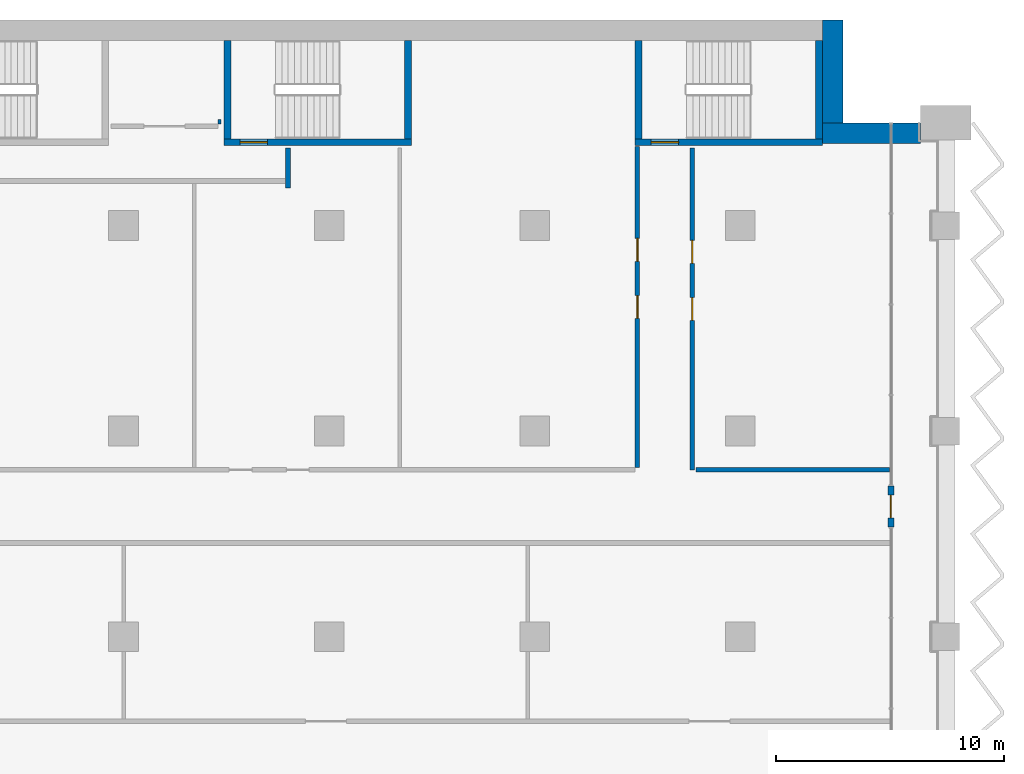
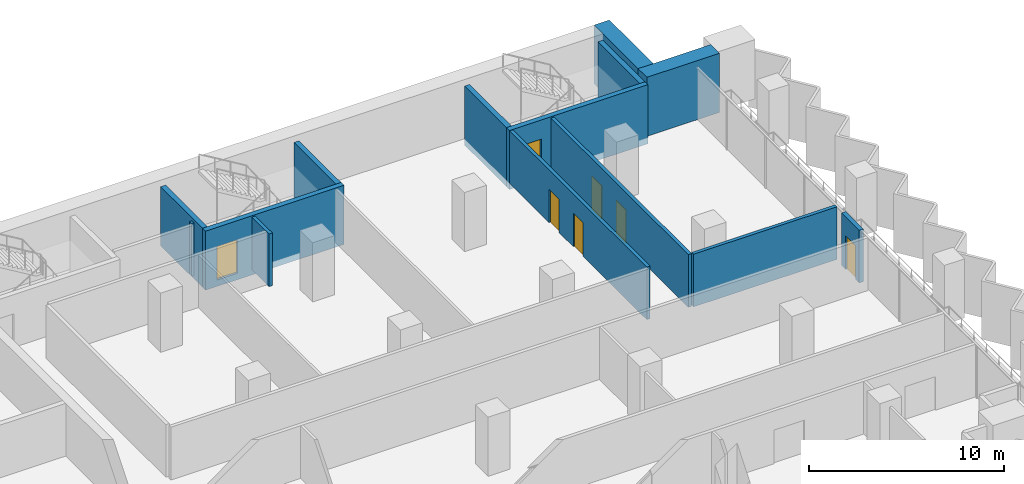
# One storey, part 15 of 23: 14 walls, 7 doors, 7 openings.
"""IFC4 building model written with IfcOpenShell, lengths in metres."""

from ifc_helpers import new_model, si_unit, direction, frame, frame_2d, origin, place, context, subcontext, project, spatial, rectangle, extrude, material, layer, layer_set, type_object, element, fill, save


model = new_model("IFC4")

# Units and contexts
model_context = context("Model", 3, precision=1e-05, world=origin(), true_north=direction((0.0, 1.0)))
body_context = subcontext(model_context, "Body", "Model", "MODEL_VIEW")
ifc_project = project(units=[si_unit("LENGTHUNIT", "METRE"), si_unit("AREAUNIT", "SQUARE_METRE"), si_unit("VOLUMEUNIT", "CUBIC_METRE"), si_unit("PLANEANGLEUNIT", "RADIAN"), si_unit("MASSUNIT", "GRAM", prefix="KILO")], contexts=[model_context])

# Site, building, storey
site_placement = place(None, origin())
site = spatial("IfcSite", under=ifc_project, at=site_placement, CompositionType="ELEMENT")
building_placement = place(site_placement, origin())
building = spatial("IfcBuilding", under=site, at=building_placement, Name="Hunhe Ridgeline Campus", CompositionType="ELEMENT")
storey_placement = place(building_placement, frame((0.0, 0.0, 107.0)))
storey = spatial("IfcBuildingStorey", under=building, at=storey_placement, Name="L26", CompositionType="ELEMENT", Elevation=107.0)

# Walls
ifc_material_1 = material(Name="Gypsum board partition")
ifc_layer_1 = layer(ifc_material_1, 0.199951171875)
ifc_layer_set_1 = layer_set([ifc_layer_1], Name="Corridor partition 200 gypsum board on steel studs")
wall_type_1 = type_object("IfcWallType", Name="Corridor partition 200 gypsum board on steel studs", PredefinedType="PARTITIONING", material=ifc_layer_set_1)
wall_1_placement = place(storey_placement, frame((70.056884765625, 79.300048828125, 0.0), z_axis=(0.0, 0.0, 1.0), x_axis=(1.0, 0.0, 0.0)))
element("IfcWall", 1, at=wall_1_placement, inside=storey, type_object=wall_type_1, Name="F-L26-wall-036", PredefinedType="PARTITIONING", context=body_context, shape_type="SweptSolid", body=[
    extrude(rectangle(XDim=8.488037109375, YDim=0.199951171875, at=frame_2d((4.244140625, 0.0))), origin(), (0.0, 0.0, 1.0), 3.300048828125),
])
wall_2_placement = place(storey_placement, frame((52.199951171875, 93.39599609375, 0.0), z_axis=(0.0, 0.0, 1.0), x_axis=(0.0, -1.0, 0.0)))
element("IfcWall", 2, at=wall_2_placement, inside=storey, type_object=wall_type_1, Name="F-L26-wall-056", PredefinedType="PARTITIONING", context=body_context, shape_type="SweptSolid", body=[
    extrude(rectangle(XDim=1.74609375, YDim=0.199951171875, at=frame_2d((0.873046875, 0.0))), origin(), (0.0, 0.0, 1.0), 3.300048828125),
])

# Wall, openings, doors
wall_3_placement = place(storey_placement, frame((67.5, 79.39990234375, 0.0), z_axis=(0.0, 0.0, 1.0), x_axis=(0.0, 1.0, 0.0)))
wall_3 = element("IfcWall", 3, at=wall_3_placement, inside=storey, type_object=wall_type_1, Name="F-L26-wall-064", PredefinedType="PARTITIONING", context=body_context, shape_type="SweptSolid", body=[
    extrude(rectangle(XDim=14.070068359375, YDim=0.199951171875, at=frame_2d((7.03515625, 0.0))), origin(), (0.0, 0.0, 1.0), 3.300048828125),
])
opening_1_placement = place(wall_3_placement, frame((6.534912109375, 0.0, 0.0)))
opening_1 = element("IfcOpeningElement", 4, at=opening_1_placement, cuts=wall_3, Name="Opening RD1-030", PredefinedType="OPENING", context=body_context, shape_type="SweptSolid", body=[
    extrude(rectangle(XDim=1.0, YDim=2.10009765625, at=frame_2d((0.5, 1.050048828125))), frame((0.0, 0.10009765625, 0.0), z_axis=(0.0, -1.0, 0.0), x_axis=(1.0, 0.0, 0.0)), (0.0, 0.0, 1.0), 0.199951171875),
])
opening_2_placement = place(wall_3_placement, frame((9.034912109375, 0.0, 0.0)))
opening_2 = element("IfcOpeningElement", 5, at=opening_2_placement, cuts=wall_3, Name="Opening RD1-033", PredefinedType="OPENING", context=body_context, shape_type="SweptSolid", body=[
    extrude(rectangle(XDim=1.0, YDim=2.10009765625, at=frame_2d((0.5, 1.050048828125))), frame((0.0, 0.10009765625, 0.0), z_axis=(0.0, -1.0, 0.0), x_axis=(1.0, 0.0, 0.0)), (0.0, 0.0, 1.0), 0.199951171875),
])
ifc_material_2 = material(Name="Timber door leaf", Category="wood")
door_type_1 = type_object("IfcDoorType", Name="Single fire door 1000x2100 timber FD60", OperationType="NOTDEFINED", PredefinedType="DOOR", material=ifc_material_2)
door_1_placement = place(opening_1_placement, frame((1.0, 0.0, 0.0), z_axis=(0.0, 0.0, 1.0), x_axis=(-1.0, 0.0, 0.0)))
door_1 = element("IfcDoor", 6, at=door_1_placement, inside=storey, type_object=door_type_1, Name="F-L26-door-030", OperationType="SINGLE_SWING_LEFT", OverallHeight=2.10009765625, OverallWidth=1.0, PredefinedType="DOOR", context=body_context, shape_type="SweptSolid", body=[
    extrude(rectangle(XDim=1.0, YDim=2.10009765625, at=frame_2d((0.5, 1.050048828125))), frame((0.0, 0.02490234375, 0.0), z_axis=(0.0, -1.0, 0.0), x_axis=(1.0, 0.0, 0.0)), (0.0, 0.0, 1.0), 0.050048828125),
])
fill(opening_1, door_1)
door_2_placement = place(opening_2_placement, frame((1.0, 0.0, 0.0), z_axis=(0.0, 0.0, 1.0), x_axis=(-1.0, 0.0, 0.0)))
door_2 = element("IfcDoor", 7, at=door_2_placement, inside=storey, type_object=door_type_1, Name="F-L26-door-033", OperationType="SINGLE_SWING_LEFT", OverallHeight=2.10009765625, OverallWidth=1.0, PredefinedType="DOOR", context=body_context, shape_type="SweptSolid", body=[
    extrude(rectangle(XDim=1.0, YDim=2.10009765625, at=frame_2d((0.5, 1.050048828125))), frame((0.0, 0.02490234375, 0.0), z_axis=(0.0, -1.0, 0.0), x_axis=(1.0, 0.0, 0.0)), (0.0, 0.0, 1.0), 0.050048828125),
])
fill(opening_2, door_2)

wall_4_placement = place(storey_placement, frame((69.89990234375, 93.39599609375, 0.0), z_axis=(0.0, 0.0, 1.0), x_axis=(0.0, -1.0, 0.0)))
wall_4 = element("IfcWall", 8, at=wall_4_placement, inside=storey, type_object=wall_type_1, Name="F-L26-wall-065", PredefinedType="PARTITIONING", context=body_context, shape_type="SweptSolid", body=[
    extrude(rectangle(XDim=14.095947265625, YDim=0.199951171875, at=frame_2d((7.0478515625, 0.0))), origin(), (0.0, 0.0, 1.0), 3.300048828125),
])
opening_3_placement = place(wall_4_placement, frame((6.548095703125, 0.0, 0.0)))
opening_3 = element("IfcOpeningElement", 9, at=opening_3_placement, cuts=wall_4, Name="Opening RD1-029", PredefinedType="OPENING", context=body_context, shape_type="SweptSolid", body=[
    extrude(rectangle(XDim=1.0, YDim=2.10009765625, at=frame_2d((0.5, 1.050048828125))), frame((0.0, 0.10009765625, 0.0), z_axis=(0.0, -1.0, 0.0), x_axis=(1.0, 0.0, 0.0)), (0.0, 0.0, 1.0), 0.199951171875),
])
opening_4_placement = place(wall_4_placement, frame((4.048095703125, 0.0, 0.0)))
opening_4 = element("IfcOpeningElement", 10, at=opening_4_placement, cuts=wall_4, Name="Opening RD1-032", PredefinedType="OPENING", context=body_context, shape_type="SweptSolid", body=[
    extrude(rectangle(XDim=1.0, YDim=2.10009765625, at=frame_2d((0.5, 1.050048828125))), frame((0.0, 0.10009765625, 0.0), z_axis=(0.0, -1.0, 0.0), x_axis=(1.0, 0.0, 0.0)), (0.0, 0.0, 1.0), 0.199951171875),
])
door_3_placement = place(opening_3_placement, frame((1.0, 0.0, 0.0), z_axis=(0.0, 0.0, 1.0), x_axis=(-1.0, 0.0, 0.0)))
door_3 = element("IfcDoor", 11, at=door_3_placement, inside=storey, type_object=door_type_1, Name="F-L26-door-029", OperationType="SINGLE_SWING_RIGHT", OverallHeight=2.10009765625, OverallWidth=1.0, PredefinedType="DOOR", context=body_context, shape_type="SweptSolid", body=[
    extrude(rectangle(XDim=1.0, YDim=2.10009765625, at=frame_2d((0.5, 1.050048828125))), frame((0.0, 0.02490234375, 0.0), z_axis=(0.0, -1.0, 0.0), x_axis=(1.0, 0.0, 0.0)), (0.0, 0.0, 1.0), 0.050048828125),
])
fill(opening_3, door_3)
door_4_placement = place(opening_4_placement, frame((1.0, 0.0, 0.0), z_axis=(0.0, 0.0, 1.0), x_axis=(-1.0, 0.0, 0.0)))
door_4 = element("IfcDoor", 12, at=door_4_placement, inside=storey, type_object=door_type_1, Name="F-L26-door-032", OperationType="SINGLE_SWING_RIGHT", OverallHeight=2.10009765625, OverallWidth=1.0, PredefinedType="DOOR", context=body_context, shape_type="SweptSolid", body=[
    extrude(rectangle(XDim=1.0, YDim=2.10009765625, at=frame_2d((0.5, 1.050048828125))), frame((0.0, 0.02490234375, 0.0), z_axis=(0.0, -1.0, 0.0), x_axis=(1.0, 0.0, 0.0)), (0.0, 0.0, 1.0), 0.050048828125),
])
fill(opening_4, door_4)

# Wall, opening, door
ifc_material_3 = material(Name="Concrete C30", Category="concrete")
ifc_layer_2 = layer(ifc_material_3, 0.25)
ifc_layer_set_2 = layer_set([ifc_layer_2], Name="Loggia door pier wall 250 Concrete C30")
wall_type_2 = type_object("IfcWallType", Name="Loggia door pier wall 250 Concrete C30", PredefinedType="SOLIDWALL", material=ifc_layer_set_2)
wall_5_placement = place(storey_placement, frame((78.59912109375, 76.800537109375, 0.0), z_axis=(0.0, 0.0, 1.0), x_axis=(0.0, 1.0, 0.0)))
wall_5 = element("IfcWall", 13, at=wall_5_placement, inside=storey, type_object=wall_type_2, Name="Loggia door pier 5", PredefinedType="SOLIDWALL", context=body_context, shape_type="SweptSolid", body=[
    extrude(rectangle(XDim=1.800048828125, YDim=0.25, at=frame_2d((0.89990234375, 0.0))), origin(), (0.0, 0.0, 1.0), 3.300048828125),
])
opening_5_placement = place(wall_5_placement, frame((0.39990234375, 0.0, 0.0)))
opening_5 = element("IfcOpeningElement", 14, at=opening_5_placement, cuts=wall_5, Name="Opening BD207", PredefinedType="OPENING", context=body_context, shape_type="SweptSolid", body=[
    extrude(rectangle(XDim=1.0, YDim=2.10009765625, at=frame_2d((0.5, 1.050048828125))), frame((0.0, 0.125, 0.0), z_axis=(0.0, -1.0, 0.0), x_axis=(1.0, 0.0, 0.0)), (0.0, 0.0, 1.0), 0.25),
])
ifc_material_4 = material(Name="Aluminium 6063", Category="aluminium")
door_type_2 = type_object("IfcDoorType", Name="Loggia glazed door 1000x2100", OperationType="NOTDEFINED", PredefinedType="DOOR", material=ifc_material_4)
door_5_placement = place(opening_5_placement, frame((1.0, 0.0, 0.0), z_axis=(0.0, 0.0, 1.0), x_axis=(-1.0, 0.0, 0.0)))
door_5 = element("IfcDoor", 15, at=door_5_placement, inside=storey, type_object=door_type_2, Name="Loggia door BD207", OperationType="SINGLE_SWING_RIGHT", OverallHeight=2.10009765625, OverallWidth=1.0, PredefinedType="DOOR", context=body_context, shape_type="SweptSolid", body=[
    extrude(rectangle(XDim=1.0, YDim=2.10009765625, at=frame_2d((0.5, 1.050048828125))), frame((0.0, 0.02490234375, 0.0), z_axis=(0.0, -1.0, 0.0), x_axis=(1.0, 0.0, 0.0)), (0.0, 0.0, 1.0), 0.050048828125),
])
fill(opening_5, door_5)

# Walls
ifc_layer_3 = layer(ifc_material_1, 0.14990234375)
ifc_layer_set_3 = layer_set([ifc_layer_3], Name="Room partition 150 gypsum board on steel studs")
wall_type_3 = type_object("IfcWallType", Name="Room partition 150 gypsum board on steel studs", PredefinedType="PARTITIONING", material=ifc_layer_set_3)
wall_6_placement = place(storey_placement, frame((49.199951171875, 94.64990234375, 0.0), z_axis=(0.0, 0.0, 1.0), x_axis=(0.0, -1.0, 0.0)))
element("IfcWall", 16, at=wall_6_placement, inside=storey, type_object=wall_type_3, Name="F-L26-wall-055", PredefinedType="PARTITIONING", context=body_context, shape_type="SweptSolid", body=[
    extrude(rectangle(XDim=0.199951171875, YDim=0.14990234375, at=frame_2d((0.10009765625, 0.0))), origin(), (0.0, 0.0, 1.0), 3.300048828125),
])
ifc_material_5 = material(Name="Concrete C70", Category="concrete")
ifc_layer_4 = layer(ifc_material_5, 0.89990234375)
ifc_layer_set_4 = layer_set([ifc_layer_4], Name="Spine wall 900 Concrete C70")
wall_type_4 = type_object("IfcWallType", Name="Spine wall 900 Concrete C70", PredefinedType="SHEAR", material=ifc_layer_set_4)
wall_7_placement = place(storey_placement, frame((79.89990234375, 94.050048828125, 0.0), z_axis=(0.0, 0.0, 1.0), x_axis=(-1.0, 0.0, 0.0)))
element("IfcWall", 17, at=wall_7_placement, inside=storey, type_object=wall_type_4, Name="Spine wall SW2-2 L26", PredefinedType="SHEAR", context=body_context, shape_type="SweptSolid", body=[
    extrude(rectangle(XDim=4.30029296875, YDim=0.89990234375, at=frame_2d((2.150146484375, 0.0))), origin(), (0.0, 0.0, 1.0), 3.699951171875),
])
wall_8_placement = place(storey_placement, frame((76.050048828125, 93.60009765625, 0.0), z_axis=(0.0, 0.0, 1.0), x_axis=(0.0, 1.0, 0.0)))
element("IfcWall", 18, at=wall_8_placement, inside=storey, type_object=wall_type_4, Name="Spine wall SW2-3 L26", PredefinedType="SHEAR", context=body_context, shape_type="SweptSolid", body=[
    extrude(rectangle(XDim=5.39990234375, YDim=0.89990234375, at=frame_2d((2.699951171875, 0.0))), origin(), (0.0, 0.0, 1.0), 3.699951171875),
])

# Wall, opening, door
ifc_material_6 = material(Name="Concrete C80", Category="concrete")
ifc_layer_5 = layer(ifc_material_6, 0.300048828125)
ifc_layer_set_5 = layer_set([ifc_layer_5], Name="Stair wall 300 reinforced concrete C80")
wall_type_5 = type_object("IfcWallType", Name="Stair wall 300 reinforced concrete C80", PredefinedType="SOLIDWALL", material=ifc_layer_set_5)
wall_9_placement = place(storey_placement, frame((49.39990234375, 93.64990234375, -0.39990234375), z_axis=(0.0, 0.0, 1.0), x_axis=(1.0, 0.0, 0.0)))
wall_9 = element("IfcWall", 19, at=wall_9_placement, inside=storey, type_object=wall_type_5, Name="L26 core wall 30", PredefinedType="SOLIDWALL", context=body_context, shape_type="SweptSolid", body=[
    extrude(rectangle(XDim=8.2001953125, YDim=0.300048828125, at=frame_2d((4.10009765625, 0.0))), origin(), (0.0, 0.0, 1.0), 3.699951171875),
])
opening_6_placement = place(wall_9_placement, frame((0.699951171875, 0.0, 0.39990234375)))
opening_6 = element("IfcOpeningElement", 20, at=opening_6_placement, cuts=wall_9, Name="Opening CD18", PredefinedType="OPENING", context=body_context, shape_type="SweptSolid", body=[
    extrude(rectangle(XDim=1.199951171875, YDim=2.10009765625, at=frame_2d((0.60009765625, 1.050048828125))), frame((0.0, 0.14990234375, 0.0), z_axis=(0.0, -1.0, 0.0), x_axis=(1.0, 0.0, 0.0)), (0.0, 0.0, 1.0), 0.300048828125),
])
ifc_material_7 = material(Name="Hollow metal fire door leaf")
door_type_3 = type_object("IfcDoorType", Name="Stair door 1200x2100 FD60", OperationType="SINGLE_SWING_LEFT", PredefinedType="DOOR", material=ifc_material_7)
door_6_placement = place(opening_6_placement, frame((1.199951171875, 0.0, 0.0), z_axis=(0.0, 0.0, 1.0), x_axis=(-1.0, 0.0, 0.0)))
door_6 = element("IfcDoor", 21, at=door_6_placement, inside=storey, type_object=door_type_3, Name="L26 door E2", OperationType="SINGLE_SWING_LEFT", OverallHeight=2.10009765625, OverallWidth=1.199951171875, PredefinedType="DOOR", context=body_context, shape_type="SweptSolid", body=[
    extrude(rectangle(XDim=1.199951171875, YDim=2.10009765625, at=frame_2d((0.60009765625, 1.050048828125))), frame((0.0, 0.02490234375, 0.0), z_axis=(0.0, -1.0, 0.0), x_axis=(1.0, 0.0, 0.0)), (0.0, 0.0, 1.0), 0.050048828125),
])
fill(opening_6, door_6)

wall_10_placement = place(storey_placement, frame((67.39990234375, 93.64990234375, -0.39990234375), z_axis=(0.0, 0.0, 1.0), x_axis=(1.0, 0.0, 0.0)))
wall_10 = element("IfcWall", 22, at=wall_10_placement, inside=storey, type_object=wall_type_5, Name="L26 core wall 31", PredefinedType="SOLIDWALL", context=body_context, shape_type="SweptSolid", body=[
    extrude(rectangle(XDim=8.2001953125, YDim=0.300048828125, at=frame_2d((4.10009765625, 0.0))), origin(), (0.0, 0.0, 1.0), 3.699951171875),
])
opening_7_placement = place(wall_10_placement, frame((0.699951171875, 0.0, 0.39990234375)))
opening_7 = element("IfcOpeningElement", 23, at=opening_7_placement, cuts=wall_10, Name="Opening CD19", PredefinedType="OPENING", context=body_context, shape_type="SweptSolid", body=[
    extrude(rectangle(XDim=1.199951171875, YDim=2.10009765625, at=frame_2d((0.60009765625, 1.050048828125))), frame((0.0, 0.14990234375, 0.0), z_axis=(0.0, -1.0, 0.0), x_axis=(1.0, 0.0, 0.0)), (0.0, 0.0, 1.0), 0.300048828125),
])
door_7_placement = place(opening_7_placement, frame((1.199951171875, 0.0, 0.0), z_axis=(0.0, 0.0, 1.0), x_axis=(-1.0, 0.0, 0.0)))
door_7 = element("IfcDoor", 24, at=door_7_placement, inside=storey, type_object=door_type_3, Name="L26 door E3", OperationType="SINGLE_SWING_RIGHT", OverallHeight=2.10009765625, OverallWidth=1.199951171875, PredefinedType="DOOR", context=body_context, shape_type="SweptSolid", body=[
    extrude(rectangle(XDim=1.199951171875, YDim=2.10009765625, at=frame_2d((0.60009765625, 1.050048828125))), frame((0.0, 0.02490234375, 0.0), z_axis=(0.0, -1.0, 0.0), x_axis=(1.0, 0.0, 0.0)), (0.0, 0.0, 1.0), 0.050048828125),
])
fill(opening_7, door_7)

# Walls
for number, where, z_axis, x_axis, name in (
    (25, (49.550048828125, 93.800048828125, -0.39990234375), (0.0, 0.0, 1.0), (0.0, 1.0, 0.0), "L26 core wall 63"),
    (26, (57.449951171875, 93.800048828125, -0.39990234375), (0.0, 0.0, 1.0), (0.0, 1.0, 0.0), "L26 core wall 64"),
    (27, (67.550048828125, 93.800048828125, -0.39990234375), (0.0, 0.0, 1.0), (0.0, 1.0, 0.0), "L26 core wall 65"),
    (28, (75.449951171875, 93.800048828125, -0.39990234375), (0.0, 0.0, 1.0), (0.0, 1.0, 0.0), "L26 core wall 66"),
):
    element("IfcWall", number, at=place(storey_placement, frame(where, z_axis=z_axis, x_axis=x_axis)), inside=storey, type_object=wall_type_5, Name=name, PredefinedType="SOLIDWALL", context=body_context, shape_type="SweptSolid", body=[
        extrude(rectangle(XDim=4.300048828125, YDim=0.300048828125, at=frame_2d((2.14990234375, 0.0))), origin(), (0.0, 0.0, 1.0), 3.699951171875),
    ])

save(model, "model.ifc")
